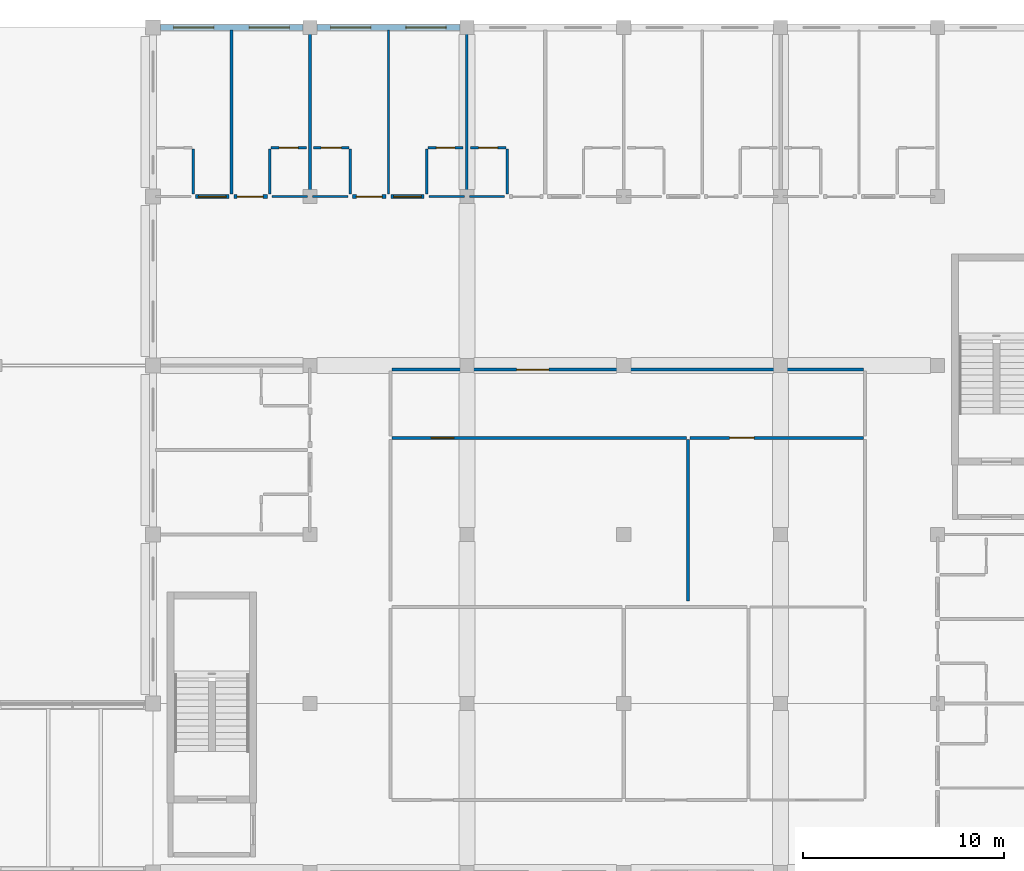
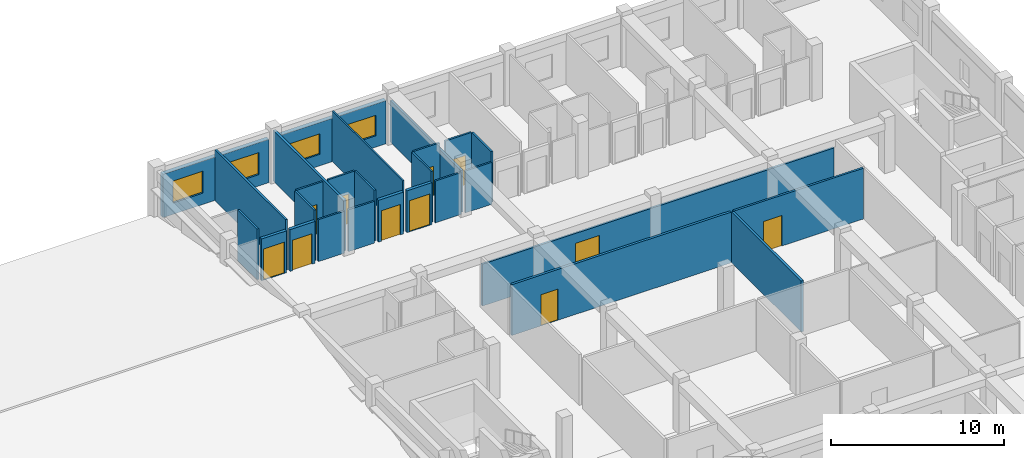
# One storey, part 61 of 72: 27 walls, 11 doors, 4 windows, 15 openings.
"""IFC4 building model written with IfcOpenShell, lengths in metres."""

from ifc_helpers import new_model, si_unit, direction, frame, frame_2d, origin, place, context, subcontext, project, spatial, rectangle, extrude, material, layer, layer_set, type_object, element, fill, save


model = new_model("IFC4")

# Units and contexts
model_context = context("Model", 3, precision=1e-05, world=origin(), true_north=direction((0.0, 1.0)))
body_context = subcontext(model_context, "Body", "Model", "MODEL_VIEW")
ifc_project = project(units=[si_unit("LENGTHUNIT", "METRE"), si_unit("AREAUNIT", "SQUARE_METRE"), si_unit("VOLUMEUNIT", "CUBIC_METRE"), si_unit("PLANEANGLEUNIT", "RADIAN"), si_unit("MASSUNIT", "GRAM", prefix="KILO"), si_unit("THERMODYNAMICTEMPERATUREUNIT", "KELVIN"), si_unit("POWERUNIT", "WATT")], contexts=[model_context])

# Site, building, storey
site_placement = place(None, origin())
site = spatial("IfcSite", under=ifc_project, at=site_placement, CompositionType="ELEMENT")
building_placement = place(site_placement, origin())
building = spatial("IfcBuilding", under=site, at=building_placement, Name="Srebrne Nadtorze General Hospital", CompositionType="ELEMENT")
storey_placement = place(building_placement, frame((0.0, 0.0, 22.199951171875)))
storey = spatial("IfcBuildingStorey", under=building, at=storey_placement, Name="L05", CompositionType="ELEMENT", Elevation=22.199951171875)

# Walls
ifc_material_1 = material(Name="Gypsum Healthcare Partition")
ifc_layer_1 = layer(ifc_material_1, 0.139892578125)
ifc_layer_set_1 = layer_set([ifc_layer_1], Name="Gypsum Healthcare Partition")
wall_type_1 = type_object("IfcWallType", Name="Clinical partition 140", PredefinedType="PARTITIONING", material=ifc_layer_set_1)
wall_1_placement = place(storey_placement, frame((105.300048828125, 84.1201171875, 0.0), z_axis=(0.0, 0.0, 1.0), x_axis=(0.0, 1.0, 0.0)))
element("IfcWall", 1, at=wall_1_placement, inside=storey, type_object=wall_type_1, Name="Ward inter-room partition WL-INT-L05-2004", PredefinedType="PARTITIONING", context=body_context, shape_type="SweptSolid", body=[
    extrude(rectangle(XDim=8.159912109375, YDim=0.139892578125, at=frame_2d((4.080078125, 0.0))), origin(), (0.0, 0.0, 1.0), 3.580078125),
])
wall_2_placement = place(storey_placement, frame((117.0, 84.1201171875, 0.0), z_axis=(0.0, 0.0, 1.0), x_axis=(0.0, 1.0, 0.0)))
element("IfcWall", 2, at=wall_2_placement, inside=storey, type_object=wall_type_1, Name="Ward inter-room partition WL-INT-L05-2019", PredefinedType="PARTITIONING", context=body_context, shape_type="SweptSolid", body=[
    extrude(rectangle(XDim=8.159912109375, YDim=0.139892578125, at=frame_2d((4.080078125, 0.0))), origin(), (0.0, 0.0, 1.0), 2.949951171875),
])

# Wall, opening, door
wall_3_placement = place(storey_placement, frame((128.0849609375, 72.0, 0.0), z_axis=(0.0, 0.0, 1.0), x_axis=(1.0, 0.0, 0.0)))
wall_3 = element("IfcWall", 3, at=wall_3_placement, inside=storey, type_object=wall_type_1, Name="Joint Mobilisation Clinic wall WL-INT-L05-2140", PredefinedType="PARTITIONING", context=body_context, shape_type="SweptSolid", body=[
    extrude(rectangle(XDim=8.630126953125, YDim=0.139892578125, at=frame_2d((4.31494140625, 0.0))), origin(), (0.0, 0.0, 1.0), 3.580078125),
])
opening_1_placement = place(wall_3_placement, frame((1.9775390625, 0.0, 0.0)))
opening_1 = element("IfcOpeningElement", 4, at=opening_1_placement, cuts=wall_3, Name="Opening D-L05-0457", PredefinedType="OPENING", context=body_context, shape_type="SweptSolid", body=[
    extrude(rectangle(XDim=1.219970703125, YDim=2.14990234375, at=frame_2d((0.60986328125, 1.074951171875))), frame((0.0, 0.08203125, 0.0), z_axis=(0.0, -1.0, 0.0), x_axis=(1.0, 0.0, 0.0)), (0.0, 0.0, 1.0), 0.163818359375),
])
ifc_material_2 = material(Name="Anodised Aluminium", Category="aluminium")
door_type_1 = type_object("IfcDoorType", Name="Single leaf door 1220x2150", OperationType="NOTDEFINED", PredefinedType="DOOR", material=ifc_material_2)
door_1_placement = place(opening_1_placement, frame((1.219970703125, 0.0, 0.0), z_axis=(0.0, 0.0, 1.0), x_axis=(-1.0, 0.0, 0.0)))
door_1 = element("IfcDoor", 5, at=door_1_placement, inside=storey, type_object=door_type_1, Name="Joint Mobilisation Clinic door D-L05-0457", OperationType="SINGLE_SWING_RIGHT", OverallHeight=2.14990234375, OverallWidth=1.219970703125, PredefinedType="DOOR", context=body_context, shape_type="SweptSolid", body=[
    extrude(rectangle(XDim=1.219970703125, YDim=2.14990234375, at=frame_2d((0.60986328125, 1.074951171875))), frame((0.0, 0.02490234375, 0.0), z_axis=(0.0, -1.0, 0.0), x_axis=(1.0, 0.0, 0.0)), (0.0, 0.0, 1.0), 0.050048828125),
])
fill(opening_1, door_1)

wall_4_placement = place(storey_placement, frame((113.284912109375, 75.39990234375, 0.0), z_axis=(0.0, 0.0, 1.0), x_axis=(1.0, 0.0, 0.0)))
wall_4 = element("IfcWall", 6, at=wall_4_placement, inside=storey, type_object=wall_type_1, Name="Inpatient Ward Day Room wall WL-INT-L05-2150", PredefinedType="PARTITIONING", context=body_context, shape_type="SweptSolid", body=[
    extrude(rectangle(XDim=23.43017578125, YDim=0.139892578125, at=frame_2d((11.715087890625, 0.0))), origin(), (0.0, 0.0, 1.0), 2.949951171875),
])
opening_2_placement = place(wall_4_placement, frame((6.1943359375, 0.0, 0.0)))
opening_2 = element("IfcOpeningElement", 7, at=opening_2_placement, cuts=wall_4, Name="Opening D-L05-0460", PredefinedType="OPENING", context=body_context, shape_type="SweptSolid", body=[
    extrude(rectangle(XDim=1.60009765625, YDim=2.25, at=frame_2d((0.800048828125, 1.125))), frame((0.0, 0.08203125, 0.0), z_axis=(0.0, -1.0, 0.0), x_axis=(1.0, 0.0, 0.0)), (0.0, 0.0, 1.0), 0.163818359375),
])
ifc_material_3 = material(Name="Anodised Aluminium", Category="aluminium")
door_type_2 = type_object("IfcDoorType", Name="Double leaf door 1600x2250", OperationType="DOUBLE_DOOR_SINGLE_SWING", PredefinedType="DOOR", material=ifc_material_3)
door_2_placement = place(opening_2_placement, frame((1.60009765625, 0.0, 0.0), z_axis=(0.0, 0.0, 1.0), x_axis=(-1.0, 0.0, 0.0)))
door_2 = element("IfcDoor", 8, at=door_2_placement, inside=storey, type_object=door_type_2, Name="Inpatient Ward Day Room door D-L05-0460", OperationType="DOUBLE_DOOR_SINGLE_SWING", OverallHeight=2.25, OverallWidth=1.60009765625, PredefinedType="DOOR", context=body_context, shape_type="SweptSolid", body=[
    extrude(rectangle(XDim=1.60009765625, YDim=2.25, at=frame_2d((0.800048828125, 1.125))), frame((0.0, 0.02490234375, 0.0), z_axis=(0.0, -1.0, 0.0), x_axis=(1.0, 0.0, 0.0)), (0.0, 0.0, 1.0), 0.050048828125),
])
fill(opening_2, door_2)

# Wall
ifc_material_4 = material(Name="Gypsum Healthcare Partition")
ifc_layer_2 = layer(ifc_material_4, 0.159912109375)
ifc_layer_set_2 = layer_set([ifc_layer_2], Name="Gypsum Healthcare Partition")
wall_type_2 = type_object("IfcWallType", Name="Clinical partition 160", PredefinedType="PARTITIONING", material=ifc_layer_set_2)
wall_5_placement = place(storey_placement, frame((109.199951171875, 84.1201171875, 0.0), z_axis=(0.0, 0.0, 1.0), x_axis=(0.0, 1.0, 0.0)))
element("IfcWall", 9, at=wall_5_placement, inside=storey, type_object=wall_type_2, Name="Ward inter-room partition WL-INT-L05-2009", PredefinedType="PARTITIONING", context=body_context, shape_type="SweptSolid", body=[
    extrude(rectangle(XDim=8.159912109375, YDim=0.159912109375, at=frame_2d((4.080078125, 0.0))), origin(), (0.0, 0.0, 1.0), 3.580078125),
])

# Wall, opening, door
wall_6_placement = place(storey_placement, frame((113.284912109375, 72.0, 0.0), z_axis=(0.0, 0.0, 1.0), x_axis=(1.0, 0.0, 0.0)))
wall_6 = element("IfcWall", 10, at=wall_6_placement, inside=storey, type_object=wall_type_2, Name="Stroke Rehabilitation Room wall WL-INT-L05-2137", PredefinedType="PARTITIONING", context=body_context, shape_type="SweptSolid", body=[
    extrude(rectangle(XDim=14.630126953125, YDim=0.159912109375, at=frame_2d((7.31494140625, 0.0))), origin(), (0.0, 0.0, 1.0), 3.580078125),
])
opening_3_placement = place(wall_6_placement, frame((1.953857421875, 0.0, 0.0)))
opening_3 = element("IfcOpeningElement", 11, at=opening_3_placement, cuts=wall_6, Name="Opening D-L05-0456", PredefinedType="OPENING", context=body_context, shape_type="SweptSolid", body=[
    extrude(rectangle(XDim=1.1201171875, YDim=2.199951171875, at=frame_2d((0.56005859375, 1.10009765625))), frame((0.0, 0.091796875, 0.0), z_axis=(0.0, -1.0, 0.0), x_axis=(1.0, 0.0, 0.0)), (0.0, 0.0, 1.0), 0.183837890625),
])
ifc_material_5 = material(Name="Anodised Aluminium", Category="aluminium")
door_type_3 = type_object("IfcDoorType", Name="Single leaf door 1120x2200", OperationType="NOTDEFINED", PredefinedType="DOOR", material=ifc_material_5)
door_3_placement = place(opening_3_placement, frame((1.1201171875, 0.0, 0.0), z_axis=(0.0, 0.0, 1.0), x_axis=(-1.0, 0.0, 0.0)))
door_3 = element("IfcDoor", 12, at=door_3_placement, inside=storey, type_object=door_type_3, Name="Stroke Rehabilitation Room door D-L05-0456", OperationType="SINGLE_SWING_RIGHT", OverallHeight=2.199951171875, OverallWidth=1.1201171875, PredefinedType="DOOR", context=body_context, shape_type="SweptSolid", body=[
    extrude(rectangle(XDim=1.1201171875, YDim=2.199951171875, at=frame_2d((0.56005859375, 1.10009765625))), frame((0.0, 0.02490234375, 0.0), z_axis=(0.0, -1.0, 0.0), x_axis=(1.0, 0.0, 0.0)), (0.0, 0.0, 1.0), 0.050048828125),
])
fill(opening_3, door_3)

# Wall
wall_7_placement = place(storey_placement, frame((128.0, 63.885009765625, 0.0), z_axis=(0.0, 0.0, 1.0), x_axis=(0.0, 1.0, 0.0)))
element("IfcWall", 13, at=wall_7_placement, inside=storey, type_object=wall_type_2, Name="Stroke Rehabilitation Room wall WL-INT-L05-2139", PredefinedType="PARTITIONING", context=body_context, shape_type="SweptSolid", body=[
    extrude(rectangle(XDim=8.030029296875, YDim=0.159912109375, at=frame_2d((4.01513671875, 0.0))), origin(), (0.0, 0.0, 1.0), 3.580078125),
])

# Wall, opening, door
ifc_material_6 = material(Name="Gypsum Healthcare Partition")
ifc_layer_3 = layer(ifc_material_6, 0.199951171875)
ifc_layer_set_3 = layer_set([ifc_layer_3], Name="Gypsum Healthcare Partition")
wall_type_3 = type_object("IfcWallType", Name="Compartment wall 200", PredefinedType="STANDARD", material=ifc_layer_set_3)
wall_8_placement = place(storey_placement, frame((103.52001953125, 84.0, 0.0), z_axis=(0.0, 0.0, 1.0), x_axis=(1.0, 0.0, 0.0)))
wall_8 = element("IfcWall", 14, at=wall_8_placement, inside=storey, type_object=wall_type_3, Name="Ward corridor wall WL-INT-L05-2005", PredefinedType="STANDARD", context=body_context, shape_type="SweptSolid", body=[
    extrude(rectangle(XDim=1.659912109375, YDim=0.199951171875, at=frame_2d((0.830078125, 0.0))), origin(), (0.0, 0.0, 1.0), 2.949951171875),
])
opening_4_placement = place(wall_8_placement, frame((0.139892578125, 0.0, 0.0)))
opening_4 = element("IfcOpeningElement", 15, at=opening_4_placement, cuts=wall_8, Name="Opening D-L05-0406", PredefinedType="OPENING", context=body_context, shape_type="SweptSolid", body=[
    extrude(rectangle(XDim=1.3798828125, YDim=2.199951171875, at=frame_2d((0.68994140625, 1.10009765625))), frame((0.0, 0.11181640625, 0.0), z_axis=(0.0, -1.0, 0.0), x_axis=(1.0, 0.0, 0.0)), (0.0, 0.0, 1.0), 0.223876953125),
])
ifc_material_7 = material(Name="Anodised Aluminium", Category="aluminium")
door_type_4 = type_object("IfcDoorType", Name="Single leaf door 1380x2200", OperationType="NOTDEFINED", PredefinedType="DOOR", material=ifc_material_7)
door_4_placement = place(opening_4_placement, origin())
door_4 = element("IfcDoor", 16, at=door_4_placement, inside=storey, type_object=door_type_4, Name="Ward patient room door D-L05-0406", OperationType="SINGLE_SWING_LEFT", OverallHeight=2.199951171875, OverallWidth=1.3798828125, PredefinedType="DOOR", context=body_context, shape_type="SweptSolid", body=[
    extrude(rectangle(XDim=1.3798828125, YDim=2.199951171875, at=frame_2d((0.68994140625, 1.10009765625))), frame((0.0, 0.02490234375, 0.0), z_axis=(0.0, -1.0, 0.0), x_axis=(1.0, 0.0, 0.0)), (0.0, 0.0, 1.0), 0.050048828125),
])
fill(opening_4, door_4)

wall_9_placement = place(storey_placement, frame((105.419921875, 84.0, 0.0), z_axis=(0.0, 0.0, 1.0), x_axis=(1.0, 0.0, 0.0)))
wall_9 = element("IfcWall", 17, at=wall_9_placement, inside=storey, type_object=wall_type_3, Name="Ward corridor wall WL-INT-L05-2010", PredefinedType="STANDARD", context=body_context, shape_type="SweptSolid", body=[
    extrude(rectangle(XDim=1.66015625, YDim=0.199951171875, at=frame_2d((0.830078125, 0.0))), origin(), (0.0, 0.0, 1.0), 2.949951171875),
])
opening_5_placement = place(wall_9_placement, frame((0.155029296875, 0.0, 0.0)))
opening_5 = element("IfcOpeningElement", 18, at=opening_5_placement, cuts=wall_9, Name="Opening D-L05-0408", PredefinedType="OPENING", context=body_context, shape_type="SweptSolid", body=[
    extrude(rectangle(XDim=1.300048828125, YDim=2.14990234375, at=frame_2d((0.64990234375, 1.074951171875))), frame((0.0, 0.11181640625, 0.0), z_axis=(0.0, -1.0, 0.0), x_axis=(1.0, 0.0, 0.0)), (0.0, 0.0, 1.0), 0.223876953125),
])
ifc_material_8 = material(Name="Anodised Aluminium", Category="aluminium")
door_type_5 = type_object("IfcDoorType", Name="Single leaf door 1300x2150", OperationType="NOTDEFINED", PredefinedType="DOOR", material=ifc_material_8)
door_5_placement = place(opening_5_placement, origin())
door_5 = element("IfcDoor", 19, at=door_5_placement, inside=storey, type_object=door_type_5, Name="Ward patient room door D-L05-0408", OperationType="SINGLE_SWING_RIGHT", OverallHeight=2.14990234375, OverallWidth=1.300048828125, PredefinedType="DOOR", context=body_context, shape_type="SweptSolid", body=[
    extrude(rectangle(XDim=1.300048828125, YDim=2.14990234375, at=frame_2d((0.64990234375, 1.074951171875))), frame((0.0, 0.02490234375, 0.0), z_axis=(0.0, -1.0, 0.0), x_axis=(1.0, 0.0, 0.0)), (0.0, 0.0, 1.0), 0.050048828125),
])
fill(opening_5, door_5)

wall_10_placement = place(storey_placement, frame((111.320068359375, 84.0, 0.0), z_axis=(0.0, 0.0, 1.0), x_axis=(1.0, 0.0, 0.0)))
wall_10 = element("IfcWall", 20, at=wall_10_placement, inside=storey, type_object=wall_type_3, Name="Ward corridor wall WL-INT-L05-2015", PredefinedType="STANDARD", context=body_context, shape_type="SweptSolid", body=[
    extrude(rectangle(XDim=1.659912109375, YDim=0.199951171875, at=frame_2d((0.830078125, 0.0))), origin(), (0.0, 0.0, 1.0), 2.949951171875),
])
opening_6_placement = place(wall_10_placement, frame((0.18994140625, 0.0, 0.0)))
opening_6 = element("IfcOpeningElement", 21, at=opening_6_placement, cuts=wall_10, Name="Opening D-L05-0410", PredefinedType="OPENING", context=body_context, shape_type="SweptSolid", body=[
    extrude(rectangle(XDim=1.280029296875, YDim=2.14990234375, at=frame_2d((0.64013671875, 1.074951171875))), frame((0.0, 0.11181640625, 0.0), z_axis=(0.0, -1.0, 0.0), x_axis=(1.0, 0.0, 0.0)), (0.0, 0.0, 1.0), 0.223876953125),
])
ifc_material_9 = material(Name="Anodised Aluminium", Category="aluminium")
door_type_6 = type_object("IfcDoorType", Name="Single leaf door 1280x2150", OperationType="NOTDEFINED", PredefinedType="DOOR", material=ifc_material_9)
door_6_placement = place(opening_6_placement, origin())
door_6 = element("IfcDoor", 22, at=door_6_placement, inside=storey, type_object=door_type_6, Name="Ward patient room door D-L05-0410", OperationType="SINGLE_SWING_LEFT", OverallHeight=2.14990234375, OverallWidth=1.280029296875, PredefinedType="DOOR", context=body_context, shape_type="SweptSolid", body=[
    extrude(rectangle(XDim=1.280029296875, YDim=2.14990234375, at=frame_2d((0.64013671875, 1.074951171875))), frame((0.0, 0.02490234375, 0.0), z_axis=(0.0, -1.0, 0.0), x_axis=(1.0, 0.0, 0.0)), (0.0, 0.0, 1.0), 0.050048828125),
])
fill(opening_6, door_6)

wall_11_placement = place(storey_placement, frame((113.219970703125, 84.0, 0.0), z_axis=(0.0, 0.0, 1.0), x_axis=(1.0, 0.0, 0.0)))
wall_11 = element("IfcWall", 23, at=wall_11_placement, inside=storey, type_object=wall_type_3, Name="Ward corridor wall WL-INT-L05-2020", PredefinedType="STANDARD", context=body_context, shape_type="SweptSolid", body=[
    extrude(rectangle(XDim=1.659912109375, YDim=0.199951171875, at=frame_2d((0.830078125, 0.0))), origin(), (0.0, 0.0, 1.0), 2.949951171875),
])
opening_7_placement = place(wall_11_placement, frame((0.139892578125, 0.0, 0.0)))
opening_7 = element("IfcOpeningElement", 24, at=opening_7_placement, cuts=wall_11, Name="Opening D-L05-0412", PredefinedType="OPENING", context=body_context, shape_type="SweptSolid", body=[
    extrude(rectangle(XDim=1.3798828125, YDim=2.199951171875, at=frame_2d((0.68994140625, 1.10009765625))), frame((0.0, 0.11181640625, 0.0), z_axis=(0.0, -1.0, 0.0), x_axis=(1.0, 0.0, 0.0)), (0.0, 0.0, 1.0), 0.223876953125),
])
door_7_placement = place(opening_7_placement, origin())
door_7 = element("IfcDoor", 25, at=door_7_placement, inside=storey, type_object=door_type_4, Name="Ward patient room door D-L05-0412", OperationType="SINGLE_SWING_LEFT", OverallHeight=2.199951171875, OverallWidth=1.3798828125, PredefinedType="DOOR", context=body_context, shape_type="SweptSolid", body=[
    extrude(rectangle(XDim=1.3798828125, YDim=2.199951171875, at=frame_2d((0.68994140625, 1.10009765625))), frame((0.0, 0.02490234375, 0.0), z_axis=(0.0, -1.0, 0.0), x_axis=(1.0, 0.0, 0.0)), (0.0, 0.0, 1.0), 0.050048828125),
])
fill(opening_7, door_7)

# Walls
ifc_material_10 = material(Name="Gypsum Healthcare Partition")
ifc_layer_4 = layer(ifc_material_10, 0.1201171875)
ifc_layer_set_4 = layer_set([ifc_layer_4], Name="Gypsum Healthcare Partition")
wall_type_4 = type_object("IfcWallType", Name="En-suite partition 120", PredefinedType="PARTITIONING", material=ifc_layer_set_4)
wall_12_placement = place(storey_placement, frame((103.39990234375, 84.1201171875, 0.0), z_axis=(0.0, 0.0, 1.0), x_axis=(0.0, 1.0, 0.0)))
element("IfcWall", 26, at=wall_12_placement, inside=storey, type_object=wall_type_4, Name="En-suite wet wall WL-INT-L05-2007", PredefinedType="PARTITIONING", context=body_context, shape_type="SweptSolid", body=[
    extrude(rectangle(XDim=2.239990234375, YDim=0.1201171875, at=frame_2d((1.1201171875, 0.0))), origin(), (0.0, 0.0, 1.0), 3.580078125),
])
wall_13_placement = place(storey_placement, frame((107.320068359375, 84.0, 0.0), z_axis=(0.0, 0.0, 1.0), x_axis=(1.0, 0.0, 0.0)))
element("IfcWall", 27, at=wall_13_placement, inside=storey, type_object=wall_type_4, Name="En-suite corridor wall WL-INT-L05-2011", PredefinedType="PARTITIONING", context=body_context, shape_type="SweptSolid", body=[
    extrude(rectangle(XDim=1.760009765625, YDim=0.1201171875, at=frame_2d((0.8798828125, 0.0))), origin(), (0.0, 0.0, 1.0), 2.949951171875),
])
wall_14_placement = place(storey_placement, frame((107.199951171875, 84.1201171875, 0.0), z_axis=(0.0, 0.0, 1.0), x_axis=(0.0, 1.0, 0.0)))
element("IfcWall", 28, at=wall_14_placement, inside=storey, type_object=wall_type_4, Name="En-suite wet wall WL-INT-L05-2012", PredefinedType="PARTITIONING", context=body_context, shape_type="SweptSolid", body=[
    extrude(rectangle(XDim=2.239990234375, YDim=0.1201171875, at=frame_2d((1.1201171875, 0.0))), origin(), (0.0, 0.0, 1.0), 3.580078125),
])

# Wall, opening, door
wall_15_placement = place(storey_placement, frame((107.260009765625, 86.419921875, 0.0), z_axis=(0.0, 0.0, 1.0), x_axis=(1.0, 0.0, 0.0)))
wall_15 = element("IfcWall", 29, at=wall_15_placement, inside=storey, type_object=wall_type_4, Name="En-suite wet wall WL-INT-L05-2013", PredefinedType="PARTITIONING", context=body_context, shape_type="SweptSolid", body=[
    extrude(rectangle(XDim=1.760009765625, YDim=0.1201171875, at=frame_2d((0.8798828125, 0.0))), origin(), (0.0, 0.0, 1.0), 3.580078125),
])
opening_8_placement = place(wall_15_placement, frame((0.405029296875, 0.0, 0.0)))
opening_8 = element("IfcOpeningElement", 30, at=opening_8_placement, cuts=wall_15, Name="Opening D-L05-0409", PredefinedType="OPENING", context=body_context, shape_type="SweptSolid", body=[
    extrude(rectangle(XDim=0.949951171875, YDim=2.10009765625, at=frame_2d((0.47509765625, 1.050048828125))), frame((0.0, 0.072021484375, 0.0), z_axis=(0.0, -1.0, 0.0), x_axis=(1.0, 0.0, 0.0)), (0.0, 0.0, 1.0), 0.14404296875),
])
ifc_material_11 = material(Name="Anodised Aluminium", Category="aluminium")
door_type_7 = type_object("IfcDoorType", Name="Single leaf door 950x2100", OperationType="NOTDEFINED", PredefinedType="DOOR", material=ifc_material_11)
door_8_placement = place(opening_8_placement, frame((0.949951171875, 0.0, 0.0), z_axis=(0.0, 0.0, 1.0), x_axis=(-1.0, 0.0, 0.0)))
door_8 = element("IfcDoor", 31, at=door_8_placement, inside=storey, type_object=door_type_7, Name="En-suite bathroom door D-L05-0409", OperationType="SINGLE_SWING_LEFT", OverallHeight=2.10009765625, OverallWidth=0.949951171875, PredefinedType="DOOR", context=body_context, shape_type="SweptSolid", body=[
    extrude(rectangle(XDim=0.949951171875, YDim=2.10009765625, at=frame_2d((0.47509765625, 1.050048828125))), frame((0.0, 0.02490234375, 0.0), z_axis=(0.0, -1.0, 0.0), x_axis=(1.0, 0.0, 0.0)), (0.0, 0.0, 1.0), 0.050048828125),
])
fill(opening_8, door_8)

# Walls
wall_16_placement = place(storey_placement, frame((109.320068359375, 84.0, 0.0), z_axis=(0.0, 0.0, 1.0), x_axis=(1.0, 0.0, 0.0)))
element("IfcWall", 32, at=wall_16_placement, inside=storey, type_object=wall_type_4, Name="En-suite corridor wall WL-INT-L05-2016", PredefinedType="PARTITIONING", context=body_context, shape_type="SweptSolid", body=[
    extrude(rectangle(XDim=1.760009765625, YDim=0.1201171875, at=frame_2d((0.8798828125, 0.0))), origin(), (0.0, 0.0, 1.0), 2.949951171875),
])
wall_17_placement = place(storey_placement, frame((111.199951171875, 84.1201171875, 0.0), z_axis=(0.0, 0.0, 1.0), x_axis=(0.0, 1.0, 0.0)))
element("IfcWall", 33, at=wall_17_placement, inside=storey, type_object=wall_type_4, Name="En-suite wet wall WL-INT-L05-2017", PredefinedType="PARTITIONING", context=body_context, shape_type="SweptSolid", body=[
    extrude(rectangle(XDim=2.239990234375, YDim=0.1201171875, at=frame_2d((1.1201171875, 0.0))), origin(), (0.0, 0.0, 1.0), 3.580078125),
])

# Wall, opening, door
wall_18_placement = place(storey_placement, frame((109.3798828125, 86.419921875, 0.0), z_axis=(0.0, 0.0, 1.0), x_axis=(1.0, 0.0, 0.0)))
wall_18 = element("IfcWall", 34, at=wall_18_placement, inside=storey, type_object=wall_type_4, Name="En-suite wet wall WL-INT-L05-2018", PredefinedType="PARTITIONING", context=body_context, shape_type="SweptSolid", body=[
    extrude(rectangle(XDim=1.760009765625, YDim=0.1201171875, at=frame_2d((0.8798828125, 0.0))), origin(), (0.0, 0.0, 1.0), 3.580078125),
])
opening_9_placement = place(wall_18_placement, frame((0.3798828125, 0.0, 0.0)))
opening_9 = element("IfcOpeningElement", 35, at=opening_9_placement, cuts=wall_18, Name="Opening D-L05-0411", PredefinedType="OPENING", context=body_context, shape_type="SweptSolid", body=[
    extrude(rectangle(XDim=1.0, YDim=2.10009765625, at=frame_2d((0.5, 1.050048828125))), frame((0.0, 0.072021484375, 0.0), z_axis=(0.0, -1.0, 0.0), x_axis=(1.0, 0.0, 0.0)), (0.0, 0.0, 1.0), 0.14404296875),
])
ifc_material_12 = material(Name="Anodised Aluminium", Category="aluminium")
door_type_8 = type_object("IfcDoorType", Name="Single leaf door 1000x2100", OperationType="NOTDEFINED", PredefinedType="DOOR", material=ifc_material_12)
door_9_placement = place(opening_9_placement, frame((1.0, 0.0, 0.0), z_axis=(0.0, 0.0, 1.0), x_axis=(-1.0, 0.0, 0.0)))
door_9 = element("IfcDoor", 36, at=door_9_placement, inside=storey, type_object=door_type_8, Name="En-suite bathroom door D-L05-0411", OperationType="SINGLE_SWING_LEFT", OverallHeight=2.10009765625, OverallWidth=1.0, PredefinedType="DOOR", context=body_context, shape_type="SweptSolid", body=[
    extrude(rectangle(XDim=1.0, YDim=2.10009765625, at=frame_2d((0.5, 1.050048828125))), frame((0.0, 0.02490234375, 0.0), z_axis=(0.0, -1.0, 0.0), x_axis=(1.0, 0.0, 0.0)), (0.0, 0.0, 1.0), 0.050048828125),
])
fill(opening_9, door_9)

# Walls
wall_19_placement = place(storey_placement, frame((115.1201171875, 84.0, 0.0), z_axis=(0.0, 0.0, 1.0), x_axis=(1.0, 0.0, 0.0)))
element("IfcWall", 37, at=wall_19_placement, inside=storey, type_object=wall_type_4, Name="En-suite corridor wall WL-INT-L05-2021", PredefinedType="PARTITIONING", context=body_context, shape_type="SweptSolid", body=[
    extrude(rectangle(XDim=1.759765625, YDim=0.1201171875, at=frame_2d((0.8798828125, 0.0))), origin(), (0.0, 0.0, 1.0), 2.949951171875),
])
wall_20_placement = place(storey_placement, frame((115.0, 84.1201171875, 0.0), z_axis=(0.0, 0.0, 1.0), x_axis=(0.0, 1.0, 0.0)))
element("IfcWall", 38, at=wall_20_placement, inside=storey, type_object=wall_type_4, Name="En-suite wet wall WL-INT-L05-2022", PredefinedType="PARTITIONING", context=body_context, shape_type="SweptSolid", body=[
    extrude(rectangle(XDim=2.239990234375, YDim=0.1201171875, at=frame_2d((1.1201171875, 0.0))), origin(), (0.0, 0.0, 1.0), 3.580078125),
])

# Wall, opening, door
wall_21_placement = place(storey_placement, frame((115.06005859375, 86.419921875, 0.0), z_axis=(0.0, 0.0, 1.0), x_axis=(1.0, 0.0, 0.0)))
wall_21 = element("IfcWall", 39, at=wall_21_placement, inside=storey, type_object=wall_type_4, Name="En-suite wet wall WL-INT-L05-2023", PredefinedType="PARTITIONING", context=body_context, shape_type="SweptSolid", body=[
    extrude(rectangle(XDim=1.760009765625, YDim=0.1201171875, at=frame_2d((0.8798828125, 0.0))), origin(), (0.0, 0.0, 1.0), 3.580078125),
])
opening_10_placement = place(wall_21_placement, frame((0.419921875, 0.0, 0.0)))
opening_10 = element("IfcOpeningElement", 40, at=opening_10_placement, cuts=wall_21, Name="Opening D-L05-0413", PredefinedType="OPENING", context=body_context, shape_type="SweptSolid", body=[
    extrude(rectangle(XDim=0.919921875, YDim=2.080078125, at=frame_2d((0.4599609375, 1.0400390625))), frame((0.0, 0.072021484375, 0.0), z_axis=(0.0, -1.0, 0.0), x_axis=(1.0, 0.0, 0.0)), (0.0, 0.0, 1.0), 0.14404296875),
])
ifc_material_13 = material(Name="Anodised Aluminium", Category="aluminium")
door_type_9 = type_object("IfcDoorType", Name="Single leaf door 920x2080", OperationType="NOTDEFINED", PredefinedType="DOOR", material=ifc_material_13)
door_10_placement = place(opening_10_placement, frame((0.919921875, 0.0, 0.0), z_axis=(0.0, 0.0, 1.0), x_axis=(-1.0, 0.0, 0.0)))
door_10 = element("IfcDoor", 41, at=door_10_placement, inside=storey, type_object=door_type_9, Name="En-suite bathroom door D-L05-0413", OperationType="SINGLE_SWING_LEFT", OverallHeight=2.080078125, OverallWidth=0.919921875, PredefinedType="DOOR", context=body_context, shape_type="SweptSolid", body=[
    extrude(rectangle(XDim=0.919921875, YDim=2.080078125, at=frame_2d((0.4599609375, 1.0400390625))), frame((0.0, 0.02490234375, 0.0), z_axis=(0.0, -1.0, 0.0), x_axis=(1.0, 0.0, 0.0)), (0.0, 0.0, 1.0), 0.050048828125),
])
fill(opening_10, door_10)

# Walls
wall_22_placement = place(storey_placement, frame((117.1201171875, 84.0, 0.0), z_axis=(0.0, 0.0, 1.0), x_axis=(1.0, 0.0, 0.0)))
element("IfcWall", 42, at=wall_22_placement, inside=storey, type_object=wall_type_4, Name="En-suite corridor wall WL-INT-L05-2026", PredefinedType="PARTITIONING", context=body_context, shape_type="SweptSolid", body=[
    extrude(rectangle(XDim=1.759765625, YDim=0.1201171875, at=frame_2d((0.8798828125, 0.0))), origin(), (0.0, 0.0, 1.0), 2.949951171875),
])
wall_23_placement = place(storey_placement, frame((119.0, 84.1201171875, 0.0), z_axis=(0.0, 0.0, 1.0), x_axis=(0.0, 1.0, 0.0)))
element("IfcWall", 43, at=wall_23_placement, inside=storey, type_object=wall_type_4, Name="En-suite wet wall WL-INT-L05-2027", PredefinedType="PARTITIONING", context=body_context, shape_type="SweptSolid", body=[
    extrude(rectangle(XDim=2.239990234375, YDim=0.1201171875, at=frame_2d((1.1201171875, 0.0))), origin(), (0.0, 0.0, 1.0), 3.580078125),
])

# Wall, opening, door
wall_24_placement = place(storey_placement, frame((117.179931640625, 86.419921875, 0.0), z_axis=(0.0, 0.0, 1.0), x_axis=(1.0, 0.0, 0.0)))
wall_24 = element("IfcWall", 44, at=wall_24_placement, inside=storey, type_object=wall_type_4, Name="En-suite wet wall WL-INT-L05-2028", PredefinedType="PARTITIONING", context=body_context, shape_type="SweptSolid", body=[
    extrude(rectangle(XDim=1.760009765625, YDim=0.1201171875, at=frame_2d((0.8798828125, 0.0))), origin(), (0.0, 0.0, 1.0), 3.580078125),
])
opening_11_placement = place(wall_24_placement, frame((0.405029296875, 0.0, 0.0)))
opening_11 = element("IfcOpeningElement", 45, at=opening_11_placement, cuts=wall_24, Name="Opening D-L05-0415", PredefinedType="OPENING", context=body_context, shape_type="SweptSolid", body=[
    extrude(rectangle(XDim=0.949951171875, YDim=2.10009765625, at=frame_2d((0.47509765625, 1.050048828125))), frame((0.0, 0.072021484375, 0.0), z_axis=(0.0, -1.0, 0.0), x_axis=(1.0, 0.0, 0.0)), (0.0, 0.0, 1.0), 0.14404296875),
])
door_11_placement = place(opening_11_placement, frame((0.949951171875, 0.0, 0.0), z_axis=(0.0, 0.0, 1.0), x_axis=(-1.0, 0.0, 0.0)))
door_11 = element("IfcDoor", 46, at=door_11_placement, inside=storey, type_object=door_type_7, Name="En-suite bathroom door D-L05-0415", OperationType="SINGLE_SWING_LEFT", OverallHeight=2.10009765625, OverallWidth=0.949951171875, PredefinedType="DOOR", context=body_context, shape_type="SweptSolid", body=[
    extrude(rectangle(XDim=0.949951171875, YDim=2.10009765625, at=frame_2d((0.47509765625, 1.050048828125))), frame((0.0, 0.02490234375, 0.0), z_axis=(0.0, -1.0, 0.0), x_axis=(1.0, 0.0, 0.0)), (0.0, 0.0, 1.0), 0.050048828125),
])
fill(opening_11, door_11)

# Wall
ifc_material_14 = material(Name="Gypsum Healthcare Partition")
ifc_layer_5 = layer(ifc_material_14, 0.10009765625)
ifc_layer_set_5 = layer_set([ifc_layer_5], Name="Gypsum Healthcare Partition")
wall_type_5 = type_object("IfcWallType", Name="Shaft lining wall 100", PredefinedType="PARTITIONING", material=ifc_layer_set_5)
wall_25_placement = place(storey_placement, frame((113.10009765625, 84.1201171875, 0.0), z_axis=(0.0, 0.0, 1.0), x_axis=(0.0, 1.0, 0.0)))
element("IfcWall", 47, at=wall_25_placement, inside=storey, type_object=wall_type_5, Name="Ward inter-room partition WL-INT-L05-2014", PredefinedType="PARTITIONING", context=body_context, shape_type="SweptSolid", body=[
    extrude(rectangle(XDim=8.159912109375, YDim=0.10009765625, at=frame_2d((4.080078125, 0.0))), origin(), (0.0, 0.0, 1.0), 3.580078125),
])

# Wall, openings, windows
ifc_material_15 = material(Name="Concrete C35/45 precast", Category="concrete")
ifc_layer_6 = layer(ifc_material_15, 0.280029296875)
ifc_layer_set_6 = layer_set([ifc_layer_6], Name="Concrete C35/45 precast")
wall_type_6 = type_object("IfcWallType", Name="Spandrel wall 280", PredefinedType="STANDARD", material=ifc_layer_set_6)
wall_26_placement = place(storey_placement, frame((101.77490234375, 92.39990234375, 0.0), z_axis=(0.0, 0.0, 1.0), x_axis=(1.0, 0.0, 0.0)))
wall_26 = element("IfcWall", 48, at=wall_26_placement, inside=storey, type_object=wall_type_6, Name="Exterior wall WL-ENV-L05-0418", PredefinedType="STANDARD", context=body_context, shape_type="SweptSolid", body=[
    extrude(rectangle(XDim=7.0751953125, YDim=0.280029296875, at=frame_2d((3.53759765625, 0.0))), origin(), (0.0, 0.0, 1.0), 3.050048828125),
])
opening_12_placement = place(wall_26_placement, frame((0.653076171875, 0.0, 0.800048828125)))
opening_12 = element("IfcOpeningElement", 49, at=opening_12_placement, cuts=wall_26, Name="Opening WN-L05-0667", PredefinedType="OPENING", context=body_context, shape_type="SweptSolid", body=[
    extrude(rectangle(XDim=2.0, YDim=1.550048828125, at=frame_2d((1.0, 0.77490234375))), frame((0.0, 0.15185546875, 0.0), z_axis=(0.0, -1.0, 0.0), x_axis=(1.0, 0.0, 0.0)), (0.0, 0.0, 1.0), 0.303955078125),
])
opening_13_placement = place(wall_26_placement, frame((4.39697265625, 0.0, 0.800048828125)))
opening_13 = element("IfcOpeningElement", 50, at=opening_13_placement, cuts=wall_26, Name="Opening WN-L05-0668", PredefinedType="OPENING", context=body_context, shape_type="SweptSolid", body=[
    extrude(rectangle(XDim=2.0, YDim=1.550048828125, at=frame_2d((1.0, 0.77490234375))), frame((0.0, 0.15185546875, 0.0), z_axis=(0.0, -1.0, 0.0), x_axis=(1.0, 0.0, 0.0)), (0.0, 0.0, 1.0), 0.303955078125),
])
ifc_material_16 = material(Name="Triple Low-E Glazing", Category="glass")
window_type_1 = type_object("IfcWindowType", Name="Punched clinical window 2000x1550", PartitioningType="DOUBLE_PANEL_VERTICAL", PredefinedType="WINDOW", material=ifc_material_16)
window_1_placement = place(opening_12_placement, origin())
window_1 = element("IfcWindow", 51, at=window_1_placement, inside=storey, type_object=window_type_1, Name="Clinical window WN-L05-0667", OverallHeight=1.550048828125, OverallWidth=2.0, PartitioningType="DOUBLE_PANEL_VERTICAL", PredefinedType="WINDOW", context=body_context, shape_type="SweptSolid", body=[
    extrude(rectangle(XDim=2.0, YDim=1.550048828125, at=frame_2d((1.0, 0.77490234375))), frame((0.0, 0.030029296875, 0.0), z_axis=(0.0, -1.0, 0.0), x_axis=(1.0, 0.0, 0.0)), (0.0, 0.0, 1.0), 0.06005859375),
])
fill(opening_12, window_1)
window_2_placement = place(opening_13_placement, origin())
window_2 = element("IfcWindow", 52, at=window_2_placement, inside=storey, type_object=window_type_1, Name="Clinical window WN-L05-0668", OverallHeight=1.550048828125, OverallWidth=2.0, PartitioningType="DOUBLE_PANEL_VERTICAL", PredefinedType="WINDOW", context=body_context, shape_type="SweptSolid", body=[
    extrude(rectangle(XDim=2.0, YDim=1.550048828125, at=frame_2d((1.0, 0.77490234375))), frame((0.0, 0.030029296875, 0.0), z_axis=(0.0, -1.0, 0.0), x_axis=(1.0, 0.0, 0.0)), (0.0, 0.0, 1.0), 0.06005859375),
])
fill(opening_13, window_2)

wall_27_placement = place(storey_placement, frame((109.550048828125, 92.39990234375, 0.0), z_axis=(0.0, 0.0, 1.0), x_axis=(1.0, 0.0, 0.0)))
wall_27 = element("IfcWall", 53, at=wall_27_placement, inside=storey, type_object=wall_type_6, Name="Exterior wall WL-ENV-L05-0419", PredefinedType="STANDARD", context=body_context, shape_type="SweptSolid", body=[
    extrude(rectangle(XDim=7.099853515625, YDim=0.280029296875, at=frame_2d((3.5498046875, 0.0))), origin(), (0.0, 0.0, 1.0), 3.050048828125),
])
opening_14_placement = place(wall_27_placement, frame((0.677978515625, 0.0, 0.800048828125)))
opening_14 = element("IfcOpeningElement", 54, at=opening_14_placement, cuts=wall_27, Name="Opening WN-L05-0669", PredefinedType="OPENING", context=body_context, shape_type="SweptSolid", body=[
    extrude(rectangle(XDim=2.0, YDim=1.449951171875, at=frame_2d((1.0, 0.72509765625))), frame((0.0, 0.15185546875, 0.0), z_axis=(0.0, -1.0, 0.0), x_axis=(1.0, 0.0, 0.0)), (0.0, 0.0, 1.0), 0.303955078125),
])
opening_15_placement = place(wall_27_placement, frame((4.422119140625, 0.0, 0.800048828125)))
opening_15 = element("IfcOpeningElement", 55, at=opening_15_placement, cuts=wall_27, Name="Opening WN-L05-0670", PredefinedType="OPENING", context=body_context, shape_type="SweptSolid", body=[
    extrude(rectangle(XDim=2.0, YDim=1.449951171875, at=frame_2d((1.0, 0.72509765625))), frame((0.0, 0.15185546875, 0.0), z_axis=(0.0, -1.0, 0.0), x_axis=(1.0, 0.0, 0.0)), (0.0, 0.0, 1.0), 0.303955078125),
])
ifc_material_17 = material(Name="Triple Low-E Glazing", Category="glass")
window_type_2 = type_object("IfcWindowType", Name="Punched clinical window 2000x1450", PartitioningType="DOUBLE_PANEL_VERTICAL", PredefinedType="WINDOW", material=ifc_material_17)
window_3_placement = place(opening_14_placement, origin())
window_3 = element("IfcWindow", 56, at=window_3_placement, inside=storey, type_object=window_type_2, Name="Clinical window WN-L05-0669", OverallHeight=1.449951171875, OverallWidth=2.0, PartitioningType="DOUBLE_PANEL_VERTICAL", PredefinedType="WINDOW", context=body_context, shape_type="SweptSolid", body=[
    extrude(rectangle(XDim=2.0, YDim=1.449951171875, at=frame_2d((1.0, 0.72509765625))), frame((0.0, 0.030029296875, 0.0), z_axis=(0.0, -1.0, 0.0), x_axis=(1.0, 0.0, 0.0)), (0.0, 0.0, 1.0), 0.06005859375),
])
fill(opening_14, window_3)
window_4_placement = place(opening_15_placement, origin())
window_4 = element("IfcWindow", 57, at=window_4_placement, inside=storey, type_object=window_type_2, Name="Clinical window WN-L05-0670", OverallHeight=1.449951171875, OverallWidth=2.0, PartitioningType="DOUBLE_PANEL_VERTICAL", PredefinedType="WINDOW", context=body_context, shape_type="SweptSolid", body=[
    extrude(rectangle(XDim=2.0, YDim=1.449951171875, at=frame_2d((1.0, 0.72509765625))), frame((0.0, 0.030029296875, 0.0), z_axis=(0.0, -1.0, 0.0), x_axis=(1.0, 0.0, 0.0)), (0.0, 0.0, 1.0), 0.06005859375),
])
fill(opening_15, window_4)

save(model, "model.ifc")
